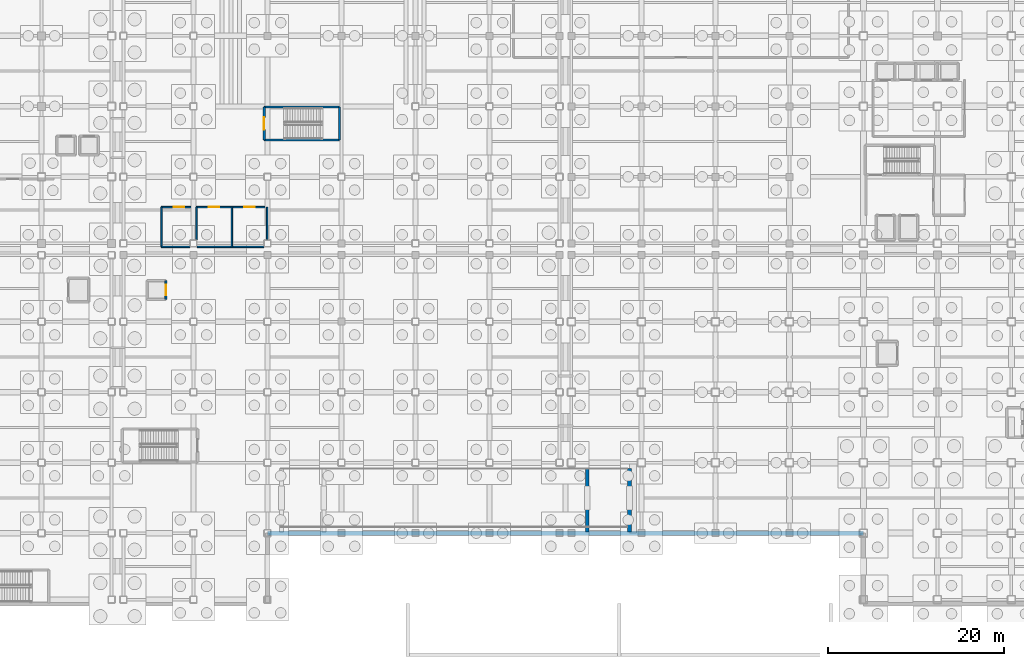
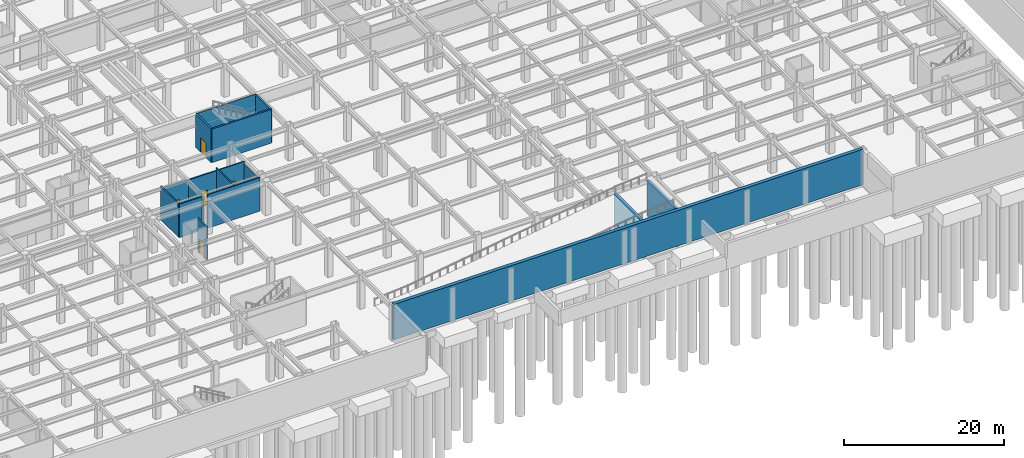
# One storey, part 33 of 55: 15 walls, 5 doors, 5 openings.
"""IFC4 building model written with IfcOpenShell, lengths in metres."""

from ifc_helpers import new_model, si_unit, direction, frame, frame_2d, origin, place, context, subcontext, project, spatial, rectangle, extrude, material, layer, layer_set, type_object, element, fill, save


model = new_model("IFC4")

# Units and contexts
model_context = context("Model", 3, precision=1e-05, world=origin(), true_north=direction((0.0, 1.0)))
body_context = subcontext(model_context, "Body", "Model", "MODEL_VIEW")
ifc_project = project(units=[si_unit("LENGTHUNIT", "METRE"), si_unit("AREAUNIT", "SQUARE_METRE"), si_unit("VOLUMEUNIT", "CUBIC_METRE"), si_unit("PLANEANGLEUNIT", "RADIAN"), si_unit("MASSUNIT", "GRAM", prefix="KILO")], contexts=[model_context])

# Site, building, storey
site_placement = place(None, origin())
site = spatial("IfcSite", under=ifc_project, at=site_placement, CompositionType="ELEMENT")
building_placement = place(site_placement, origin())
building = spatial("IfcBuilding", under=site, at=building_placement, Name="Kazehara Bluff Congress Hotel", CompositionType="ELEMENT")
storey_placement = place(building_placement, frame((0.0, 0.0, -5.39990234375)))
storey = spatial("IfcBuildingStorey", under=building, at=storey_placement, Name="B1", CompositionType="ELEMENT", Elevation=-5.39990234375)

# Wall, opening, door
ifc_material_1 = material(Name="Concrete C40/50", Category="concrete")
ifc_layer_1 = layer(ifc_material_1, 0.25)
ifc_layer_set_1 = layer_set([ifc_layer_1], Name="Concrete C40/50")
wall_type_1 = type_object("IfcWallType", Name="TP-CW-RC", PredefinedType="SHEAR", material=ifc_layer_set_1)
wall_1_placement = place(storey_placement, frame((75.675048828125, 52.625, 0.0), z_axis=(0.0, 0.0, 1.0), x_axis=(0.0, 1.0, 0.0)))
wall_1 = element("IfcWall", 1, at=wall_1_placement, inside=storey, type_object=wall_type_1, Name="B1 ST-09 core wall near", PredefinedType="SHEAR", context=body_context, shape_type="SweptSolid", body=[
    extrude(rectangle(XDim=3.75, YDim=0.25, at=frame_2d((1.875, 0.0))), origin(), (0.0, 0.0, 1.0), 5.119873046875),
])
opening_1_placement = place(wall_1_placement, frame((1.175048828125, 0.0, 0.0)))
opening_1 = element("IfcOpeningElement", 2, at=opening_1_placement, cuts=wall_1, Name="Opening FD-03", PredefinedType="OPENING", context=body_context, shape_type="SweptSolid", body=[
    extrude(rectangle(XDim=1.39990234375, YDim=2.25, at=frame_2d((0.699951171875, 1.125))), frame((0.0, 0.135009765625, 0.0), z_axis=(0.0, -1.0, 0.0), x_axis=(1.0, 0.0, 0.0)), (0.0, 0.0, 1.0), 0.27001953125),
])
ifc_material_2 = material(Name="Fire-rated painted steel leaf", Category="steel")
door_type_1 = type_object("IfcDoorType", Name="TP-FD-03", OperationType="NOTDEFINED", PredefinedType="DOOR", material=ifc_material_2)
door_1_placement = place(opening_1_placement, origin())
door_1 = element("IfcDoor", 3, at=door_1_placement, inside=storey, type_object=door_type_1, Name="B1 ST-09 fire stair door", OperationType="SINGLE_SWING_LEFT", OverallHeight=2.25, OverallWidth=1.39990234375, PredefinedType="DOOR", context=body_context, shape_type="SweptSolid", body=[
    extrude(rectangle(XDim=1.39990234375, YDim=2.25, at=frame_2d((0.699951171875, 1.125))), frame((0.0, 0.02490234375, 0.0), z_axis=(0.0, -1.0, 0.0), x_axis=(1.0, 0.0, 0.0)), (0.0, 0.0, 1.0), 0.050048828125),
])
fill(opening_1, door_1)

# Walls
wall_2_placement = place(storey_placement, frame((84.22509765625, 56.375, 0.0), z_axis=(0.0, 0.0, 1.0), x_axis=(0.0, -1.0, 0.0)))
element("IfcWall", 4, at=wall_2_placement, inside=storey, type_object=wall_type_1, Name="B1 ST-09 core wall far", PredefinedType="SHEAR", context=body_context, shape_type="SweptSolid", body=[
    extrude(rectangle(XDim=3.75, YDim=0.25, at=frame_2d((1.875, 0.0))), origin(), (0.0, 0.0, 1.0), 5.119873046875),
])
for number, where, z_axis, x_axis, name in (
    (5, (84.22509765625, 52.625, 0.0), (0.0, 0.0, 1.0), (-1.0, 0.0, 0.0), "B1 ST-09 core wall left"),
    (6, (75.675048828125, 56.375, 0.0), (0.0, 0.0, 1.0), (1.0, 0.0, 0.0), "B1 ST-09 core wall right"),
):
    element("IfcWall", number, at=place(storey_placement, frame(where, z_axis=z_axis, x_axis=x_axis)), inside=storey, type_object=wall_type_1, Name=name, PredefinedType="SHEAR", context=body_context, shape_type="SweptSolid", body=[
        extrude(rectangle(XDim=8.550048828125, YDim=0.25, at=frame_2d((4.27490234375, 0.0))), origin(), (0.0, 0.0, 1.0), 5.119873046875),
    ])
ifc_material_3 = material(Name="Fire-rated gypsum board stud partition")
ifc_layer_2 = layer(ifc_material_3, 0.169921875)
ifc_layer_set_2 = layer_set([ifc_layer_2], Name="Fire-rated gypsum board stud partition")
wall_type_2 = type_object("IfcWallType", Name="TP-PT-180", PredefinedType="PARTITIONING", material=ifc_layer_set_2)
wall_3_placement = place(storey_placement, frame((64.0, 40.5, 0.0), z_axis=(0.0, 0.0, 1.0), x_axis=(1.0, 0.0, 0.0)))
element("IfcWall", 7, at=wall_3_placement, inside=storey, type_object=wall_type_2, Name="B1 partition PT-180 3", PredefinedType="PARTITIONING", context=body_context, shape_type="SweptSolid", body=[
    extrude(rectangle(XDim=3.22998046875, YDim=0.169921875, at=frame_2d((1.614990234375, 0.0))), origin(), (0.0, 0.0, 1.0), 5.10498046875),
])
wall_4_placement = place(storey_placement, frame((68.070068359375, 40.5, 0.0), z_axis=(0.0, 0.0, 1.0), x_axis=(1.0, 0.0, 0.0)))
element("IfcWall", 8, at=wall_4_placement, inside=storey, type_object=wall_type_2, Name="B1 partition PT-180 4", PredefinedType="PARTITIONING", context=body_context, shape_type="SweptSolid", body=[
    extrude(rectangle(XDim=7.559814453125, YDim=0.169921875, at=frame_2d((3.77978515625, 0.0))), origin(), (0.0, 0.0, 1.0), 5.10498046875),
])

# Wall, openings, doors
wall_5_placement = place(storey_placement, frame((64.0, 45.0, 0.0), z_axis=(0.0, 0.0, 1.0), x_axis=(1.0, 0.0, 0.0)))
wall_5 = element("IfcWall", 9, at=wall_5_placement, inside=storey, type_object=wall_type_2, Name="B1 partition PT-180 6", PredefinedType="PARTITIONING", context=body_context, shape_type="SweptSolid", body=[
    extrude(rectangle(XDim=12.0, YDim=0.169921875, at=frame_2d((6.0, 0.0))), origin(), (0.0, 0.0, 1.0), 4.69482421875),
])
opening_2_placement = place(wall_5_placement, frame((1.39990234375, 0.0, 0.0)))
opening_2 = element("IfcOpeningElement", 10, at=opening_2_placement, cuts=wall_5, Name="Opening FD-02", PredefinedType="OPENING", context=body_context, shape_type="SweptSolid", body=[
    extrude(rectangle(XDim=1.199951171875, YDim=2.199951171875, at=frame_2d((0.60009765625, 1.10009765625))), frame((0.0, 0.094970703125, 0.0), z_axis=(0.0, -1.0, 0.0), x_axis=(1.0, 0.0, 0.0)), (0.0, 0.0, 1.0), 0.18994140625),
])
opening_3_placement = place(wall_5_placement, frame((5.39990234375, 0.0, 0.0)))
opening_3 = element("IfcOpeningElement", 11, at=opening_3_placement, cuts=wall_5, Name="Opening FD-02", PredefinedType="OPENING", context=body_context, shape_type="SweptSolid", body=[
    extrude(rectangle(XDim=1.199951171875, YDim=2.199951171875, at=frame_2d((0.60009765625, 1.10009765625))), frame((0.0, 0.094970703125, 0.0), z_axis=(0.0, -1.0, 0.0), x_axis=(1.0, 0.0, 0.0)), (0.0, 0.0, 1.0), 0.18994140625),
])
opening_4_placement = place(wall_5_placement, frame((9.39990234375, 0.0, 0.0)))
opening_4 = element("IfcOpeningElement", 12, at=opening_4_placement, cuts=wall_5, Name="Opening FD-02", PredefinedType="OPENING", context=body_context, shape_type="SweptSolid", body=[
    extrude(rectangle(XDim=1.199951171875, YDim=2.199951171875, at=frame_2d((0.60009765625, 1.10009765625))), frame((0.0, 0.094970703125, 0.0), z_axis=(0.0, -1.0, 0.0), x_axis=(1.0, 0.0, 0.0)), (0.0, 0.0, 1.0), 0.18994140625),
])
ifc_material_4 = material(Name="Fire-rated painted steel leaf", Category="steel")
door_type_2 = type_object("IfcDoorType", Name="TP-FD-02", OperationType="NOTDEFINED", PredefinedType="DOOR", material=ifc_material_4)
door_2_placement = place(opening_2_placement, origin())
door_2 = element("IfcDoor", 13, at=door_2_placement, inside=storey, type_object=door_type_2, Name="B1 Basement Staff Male WC door", OperationType="SINGLE_SWING_RIGHT", OverallHeight=2.199951171875, OverallWidth=1.199951171875, PredefinedType="DOOR", context=body_context, shape_type="SweptSolid", body=[
    extrude(rectangle(XDim=1.199951171875, YDim=2.199951171875, at=frame_2d((0.60009765625, 1.10009765625))), frame((0.0, 0.02490234375, 0.0), z_axis=(0.0, -1.0, 0.0), x_axis=(1.0, 0.0, 0.0)), (0.0, 0.0, 1.0), 0.050048828125),
])
fill(opening_2, door_2)
door_3_placement = place(opening_3_placement, origin())
door_3 = element("IfcDoor", 14, at=door_3_placement, inside=storey, type_object=door_type_2, Name="B1 Basement Staff Female WC door", OperationType="SINGLE_SWING_LEFT", OverallHeight=2.199951171875, OverallWidth=1.199951171875, PredefinedType="DOOR", context=body_context, shape_type="SweptSolid", body=[
    extrude(rectangle(XDim=1.199951171875, YDim=2.199951171875, at=frame_2d((0.60009765625, 1.10009765625))), frame((0.0, 0.02490234375, 0.0), z_axis=(0.0, -1.0, 0.0), x_axis=(1.0, 0.0, 0.0)), (0.0, 0.0, 1.0), 0.050048828125),
])
fill(opening_3, door_3)
door_4_placement = place(opening_4_placement, origin())
door_4 = element("IfcDoor", 15, at=door_4_placement, inside=storey, type_object=door_type_2, Name="B1 Basement Accessible WC door", OperationType="SINGLE_SWING_RIGHT", OverallHeight=2.199951171875, OverallWidth=1.199951171875, PredefinedType="DOOR", context=body_context, shape_type="SweptSolid", body=[
    extrude(rectangle(XDim=1.199951171875, YDim=2.199951171875, at=frame_2d((0.60009765625, 1.10009765625))), frame((0.0, 0.02490234375, 0.0), z_axis=(0.0, -1.0, 0.0), x_axis=(1.0, 0.0, 0.0)), (0.0, 0.0, 1.0), 0.050048828125),
])
fill(opening_4, door_4)

# Walls
wall_6_placement = place(storey_placement, frame((64.0, 40.5, 0.0), z_axis=(0.0, 0.0, 1.0), x_axis=(0.0, 1.0, 0.0)))
element("IfcWall", 16, at=wall_6_placement, inside=storey, type_object=wall_type_2, Name="B1 partition PT-180 41", PredefinedType="PARTITIONING", context=body_context, shape_type="SweptSolid", body=[
    extrude(rectangle(XDim=4.5, YDim=0.169921875, at=frame_2d((2.25, 0.0))), origin(), (0.0, 0.0, 1.0), 5.10498046875),
])
wall_7_placement = place(storey_placement, frame((68.0, 41.320068359375, 0.0), z_axis=(0.0, 0.0, 1.0), x_axis=(0.0, 1.0, 0.0)))
element("IfcWall", 17, at=wall_7_placement, inside=storey, type_object=wall_type_2, Name="B1 partition PT-180 42", PredefinedType="PARTITIONING", context=body_context, shape_type="SweptSolid", body=[
    extrude(rectangle(XDim=3.679931640625, YDim=0.169921875, at=frame_2d((1.83984375, 0.0))), origin(), (0.0, 0.0, 1.0), 4.344970703125),
])
wall_8_placement = place(storey_placement, frame((72.0, 40.5, 0.0), z_axis=(0.0, 0.0, 1.0), x_axis=(0.0, 1.0, 0.0)))
element("IfcWall", 18, at=wall_8_placement, inside=storey, type_object=wall_type_2, Name="B1 partition PT-180 43", PredefinedType="PARTITIONING", context=body_context, shape_type="SweptSolid", body=[
    extrude(rectangle(XDim=4.5, YDim=0.169921875, at=frame_2d((2.25, 0.0))), origin(), (0.0, 0.0, 1.0), 5.10498046875),
])
wall_9_placement = place(storey_placement, frame((76.0, 41.320068359375, 0.0), z_axis=(0.0, 0.0, 1.0), x_axis=(0.0, 1.0, 0.0)))
element("IfcWall", 19, at=wall_9_placement, inside=storey, type_object=wall_type_2, Name="B1 partition PT-180 44", PredefinedType="PARTITIONING", context=body_context, shape_type="SweptSolid", body=[
    extrude(rectangle(XDim=3.679931640625, YDim=0.169921875, at=frame_2d((1.83984375, 0.0))), origin(), (0.0, 0.0, 1.0), 4.344970703125),
])
ifc_material_5 = material(Name="Concrete C40/50", Category="concrete")
ifc_layer_3 = layer(ifc_material_5, 0.5)
ifc_layer_set_3 = layer_set([ifc_layer_3], Name="Concrete C40/50")
wall_type_3 = type_object("IfcWallType", Name="TP-RW-500", PredefinedType="USERDEFINED", material=ifc_layer_set_3)
wall_10_placement = place(storey_placement, frame((76.050048828125, 8.0, 0.0), z_axis=(0.0, 0.0, 1.0), x_axis=(1.0, 0.0, 0.0)))
element("IfcWall", 20, at=wall_10_placement, inside=storey, type_object=wall_type_3, Name="Basement perimeter retaining wall 3", ObjectType="RETAININGWALL", PredefinedType="USERDEFINED", context=body_context, shape_type="SweptSolid", body=[
    extrude(rectangle(XDim=67.64990234375, YDim=0.5, at=frame_2d((33.824951171875, 0.0))), origin(), (0.0, 0.0, 1.0), 5.39990234375),
])
ifc_material_6 = material(Name="Concrete C40/50", Category="concrete")
ifc_layer_4 = layer(ifc_material_6, 0.449951171875)
ifc_layer_set_4 = layer_set([ifc_layer_4], Name="Concrete C40/50")
wall_type_4 = type_object("IfcWallType", Name="TP-RW-RMP", PredefinedType="SHEAR", material=ifc_layer_set_4)
wall_11_placement = place(storey_placement, frame((112.35009765625, 8.14990234375, -0.5), z_axis=(0.0, 0.0, 1.0), x_axis=(0.0, 1.0, 0.0)))
element("IfcWall", 21, at=wall_11_placement, inside=storey, type_object=wall_type_4, Name="Car park vehicle ramp R1 bearing pier wall 3", PredefinedType="SHEAR", context=body_context, shape_type="SweptSolid", body=[
    extrude(rectangle(XDim=7.2001953125, YDim=0.449951171875, at=frame_2d((3.60009765625, 0.0))), origin(), (0.0, 0.0, 1.0), 5.5),
])
wall_12_placement = place(storey_placement, frame((117.14990234375, 8.14990234375, -0.5), z_axis=(0.0, 0.0, 1.0), x_axis=(0.0, 1.0, 0.0)))
element("IfcWall", 22, at=wall_12_placement, inside=storey, type_object=wall_type_4, Name="Car park vehicle ramp R1 bearing pier wall 4", PredefinedType="SHEAR", context=body_context, shape_type="SweptSolid", body=[
    extrude(rectangle(XDim=7.2001953125, YDim=0.449951171875, at=frame_2d((3.60009765625, 0.0))), origin(), (0.0, 0.0, 1.0), 5.849853515625),
])

# Wall, opening, door
ifc_material_7 = material(Name="Concrete C40/50", Category="concrete")
ifc_layer_5 = layer(ifc_material_7, 0.219970703125)
ifc_layer_set_5 = layer_set([ifc_layer_5], Name="Concrete C40/50")
wall_type_5 = type_object("IfcWallType", Name="TP-SW-RC", PredefinedType="SHEAR", material=ifc_layer_set_5)
wall_13_placement = place(storey_placement, frame((64.510009765625, 34.5400390625, 0.0), z_axis=(0.0, 0.0, 1.0), x_axis=(0.0, 1.0, 0.0)))
wall_13 = element("IfcWall", 23, at=wall_13_placement, inside=storey, type_object=wall_type_5, Name="B1 EL-C3 lift shaft wall +X", PredefinedType="SHEAR", context=body_context, shape_type="SweptSolid", body=[
    extrude(rectangle(XDim=2.119873046875, YDim=0.219970703125, at=frame_2d((1.06005859375, 0.0))), origin(), (0.0, 0.0, 1.0), 5.119873046875),
])
opening_5_placement = place(wall_13_placement, frame((0.4599609375, 0.0, 0.0)))
opening_5 = element("IfcOpeningElement", 24, at=opening_5_placement, cuts=wall_13, Name="Opening LD-02", PredefinedType="OPENING", context=body_context, shape_type="SweptSolid", body=[
    extrude(rectangle(XDim=1.199951171875, YDim=2.25, at=frame_2d((0.60009765625, 1.125))), frame((0.0, 0.119873046875, 0.0), z_axis=(0.0, -1.0, 0.0), x_axis=(1.0, 0.0, 0.0)), (0.0, 0.0, 1.0), 0.239990234375),
])
ifc_material_8 = material(Name="Fire-rated painted steel leaf", Category="steel")
door_type_3 = type_object("IfcDoorType", Name="TP-LD-02", OperationType="SLIDING_TO_LEFT", PredefinedType="DOOR", material=ifc_material_8)
door_5_placement = place(opening_5_placement, origin())
door_5 = element("IfcDoor", 25, at=door_5_placement, inside=storey, type_object=door_type_3, Name="B1 EL-C3 elevator landing door", OperationType="SLIDING_TO_LEFT", OverallHeight=2.25, OverallWidth=1.199951171875, PredefinedType="DOOR", context=body_context, shape_type="SweptSolid", body=[
    extrude(rectangle(XDim=1.199951171875, YDim=2.25, at=frame_2d((0.60009765625, 1.125))), frame((0.0, 0.02490234375, 0.0), z_axis=(0.0, -1.0, 0.0), x_axis=(1.0, 0.0, 0.0)), (0.0, 0.0, 1.0), 0.050048828125),
])
fill(opening_5, door_5)

save(model, "model.ifc")
